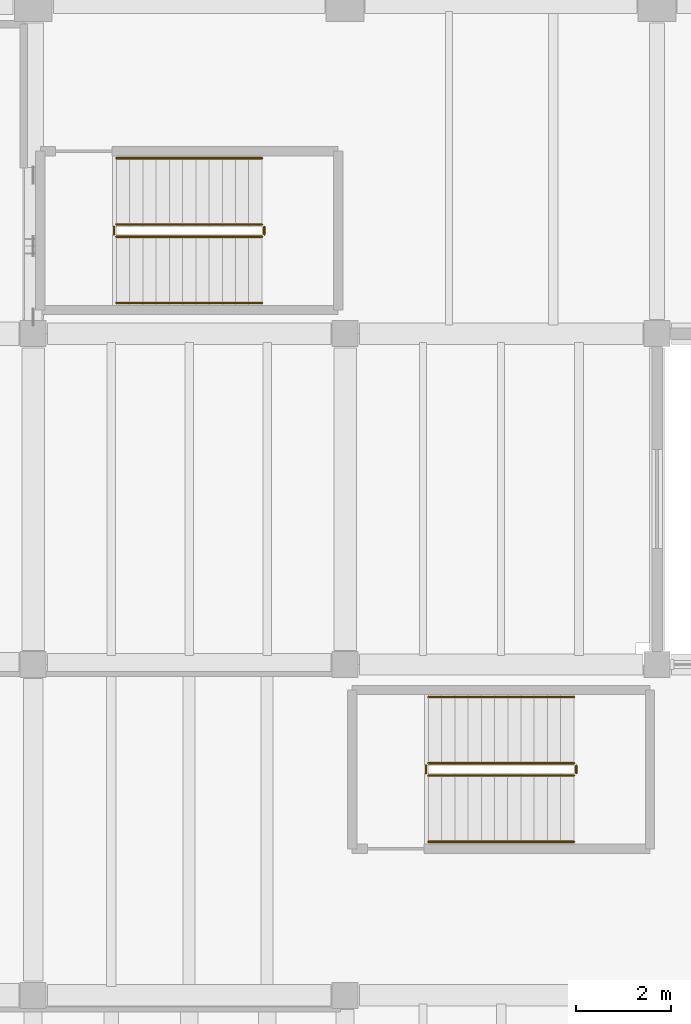
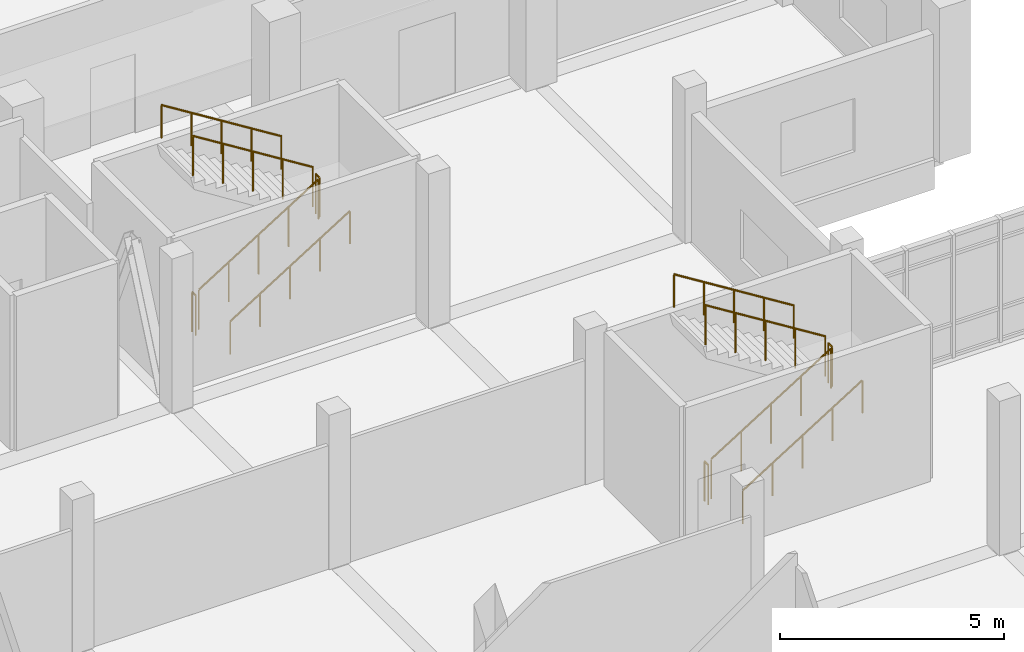
# One storey, part 66 of 67: 12 railings.
"""IFC4 building model written with IfcOpenShell, lengths in metres."""

from ifc_helpers import new_model, si_unit, direction, frame, origin, origin_2d, place, context, subcontext, project, spatial, circle, extrude, material, type_object, element, save


model = new_model("IFC4")

# Units and contexts
model_context = context("Model", 3, precision=1e-05, world=origin(), true_north=direction((0.0, 1.0)))
body_context = subcontext(model_context, "Body", "Model", "MODEL_VIEW")
ifc_project = project(units=[si_unit("LENGTHUNIT", "METRE"), si_unit("AREAUNIT", "SQUARE_METRE"), si_unit("VOLUMEUNIT", "CUBIC_METRE"), si_unit("PLANEANGLEUNIT", "RADIAN"), si_unit("MASSUNIT", "GRAM", prefix="KILO")], contexts=[model_context])

# Site, building, storey
site_placement = place(None, origin())
site = spatial("IfcSite", under=ifc_project, at=site_placement, CompositionType="ELEMENT")
building_placement = place(site_placement, origin())
building = spatial("IfcBuilding", under=site, at=building_placement, Name="Ciguamira Faculty of Natural Sciences", CompositionType="ELEMENT")
storey_placement = place(building_placement, frame((0.0, 0.0, 8.39990234375)))
storey = spatial("IfcBuildingStorey", under=building, at=storey_placement, Name="L02", CompositionType="ELEMENT", Elevation=8.39990234375)

# Railings
ifc_material_1 = material(Name="Stainless steel balustrade", Category="steel")
railing_type_1 = type_object("IfcRailingType", Name="Guardrail_GR01", PredefinedType="GUARDRAIL", material=ifc_material_1)
railing_1_placement = place(storey_placement, frame((98.659912109375, 96.050048828125, 0.175048828125)))
element("IfcRailing", 1, at=railing_1_placement, inside=storey, type_object=railing_type_1, Name="L02 ST-T2 stair guard 1", PredefinedType="GUARDRAIL", context=body_context, shape_type="SweptSolid", body=[
    extrude(circle(Radius=0.02392578125, at=origin_2d()), frame((0.0, 0.0, 1.076171875), z_axis=(0.847998304005, 0.0, 0.529998940003), x_axis=(0.0, 1.0, 0.0)), (0.0, 0.0, 1.0), 3.632080078125),
    extrude(circle(Radius=0.02099609375, at=origin_2d()), origin(), (0.0, 0.0, 1.0), 1.052001953125),
    extrude(circle(Radius=0.02099609375, at=origin_2d()), frame((0.77001953125, 0.0, 0.481201171875)), (0.0, 0.0, 1.0), 1.052001953125),
    extrude(circle(Radius=0.02099609375, at=origin_2d()), frame((1.5400390625, 0.0, 0.96240234375)), (0.0, 0.0, 1.0), 1.052001953125),
    extrude(circle(Radius=0.02099609375, at=origin_2d()), frame((2.31005859375, 0.0, 1.44384765625)), (0.0, 0.0, 1.0), 1.052001953125),
    extrude(circle(Radius=0.02099609375, at=origin_2d()), frame((3.080078125, 0.0, 1.925048828125)), (0.0, 0.0, 1.0), 1.052001953125),
])
railing_2_placement = place(storey_placement, frame((101.7900390625, 96.10009765625, 2.10009765625)))
element("IfcRailing", 2, at=railing_2_placement, inside=storey, type_object=railing_type_1, Name="L02 ST-T2 stair guard 2", PredefinedType="GUARDRAIL", context=body_context, shape_type="SweptSolid", body=[
    extrude(circle(Radius=0.02392578125, at=origin_2d()), frame((0.0, 0.0, 1.076171875), z_axis=(0.0, 1.0, 0.0), x_axis=(-1.0, 0.0, 0.0)), (0.0, 0.0, 1.0), 0.159912109375),
    extrude(circle(Radius=0.02099609375, at=origin_2d()), origin(), (0.0, 0.0, 1.0), 1.052001953125),
    extrude(circle(Radius=0.02099609375, at=origin_2d()), frame((0.0, 0.159912109375, 0.0)), (0.0, 0.0, 1.0), 1.052001953125),
])
railing_3_placement = place(storey_placement, frame((101.739990234375, 96.31005859375, 2.275146484375)))
element("IfcRailing", 3, at=railing_3_placement, inside=storey, type_object=railing_type_1, Name="L02 ST-T2 stair guard 3", PredefinedType="GUARDRAIL", context=body_context, shape_type="SweptSolid", body=[
    extrude(circle(Radius=0.02392578125, at=origin_2d()), frame((0.0, 0.0, 1.076171875), z_axis=(-0.847998304005, 0.0, 0.529998940003), x_axis=(0.0, -1.0, 0.0)), (0.0, 0.0, 1.0), 3.632080078125),
    extrude(circle(Radius=0.02099609375, at=origin_2d()), origin(), (0.0, 0.0, 1.0), 1.052001953125),
    extrude(circle(Radius=0.02099609375, at=origin_2d()), frame((-0.77001953125, 0.0, 0.481201171875)), (0.0, 0.0, 1.0), 1.052001953125),
    extrude(circle(Radius=0.02099609375, at=origin_2d()), frame((-1.5400390625, 0.0, 0.96240234375)), (0.0, 0.0, 1.0), 1.052001953125),
    extrude(circle(Radius=0.02099609375, at=origin_2d()), frame((-2.31005859375, 0.0, 1.44384765625)), (0.0, 0.0, 1.0), 1.052001953125),
    extrude(circle(Radius=0.02099609375, at=origin_2d()), frame((-3.080078125, 0.0, 1.925048828125)), (0.0, 0.0, 1.0), 1.052001953125),
])
railing_4_placement = place(storey_placement, frame((98.610107421875, 96.10009765625, 0.0)))
element("IfcRailing", 4, at=railing_4_placement, inside=storey, type_object=railing_type_1, Name="L02 ST-T2 stair guard 4", PredefinedType="GUARDRAIL", context=body_context, shape_type="SweptSolid", body=[
    extrude(circle(Radius=0.02392578125, at=origin_2d()), frame((0.0, 0.0, 1.076171875), z_axis=(0.0, 1.0, 0.0), x_axis=(-1.0, 0.0, 0.0)), (0.0, 0.0, 1.0), 0.159912109375),
    extrude(circle(Radius=0.02099609375, at=origin_2d()), origin(), (0.0, 0.0, 1.0), 1.052001953125),
    extrude(circle(Radius=0.02099609375, at=origin_2d()), frame((0.0, 0.159912109375, 0.0)), (0.0, 0.0, 1.0), 1.052001953125),
])
railing_5_placement = place(storey_placement, frame((105.260009765625, 84.64990234375, 0.175048828125)))
element("IfcRailing", 5, at=railing_5_placement, inside=storey, type_object=railing_type_1, Name="L02 ST-W2 stair guard 1", PredefinedType="GUARDRAIL", context=body_context, shape_type="SweptSolid", body=[
    extrude(circle(Radius=0.02392578125, at=origin_2d()), frame((0.0, 0.0, 1.076171875), z_axis=(0.847998304005, 0.0, 0.529998940003), x_axis=(0.0, 1.0, 0.0)), (0.0, 0.0, 1.0), 3.632080078125),
    extrude(circle(Radius=0.02099609375, at=origin_2d()), origin(), (0.0, 0.0, 1.0), 1.052001953125),
    extrude(circle(Radius=0.02099609375, at=origin_2d()), frame((0.77001953125, 0.0, 0.481201171875)), (0.0, 0.0, 1.0), 1.052001953125),
    extrude(circle(Radius=0.02099609375, at=origin_2d()), frame((1.5400390625, 0.0, 0.96240234375)), (0.0, 0.0, 1.0), 1.052001953125),
    extrude(circle(Radius=0.02099609375, at=origin_2d()), frame((2.31005859375, 0.0, 1.44384765625)), (0.0, 0.0, 1.0), 1.052001953125),
    extrude(circle(Radius=0.02099609375, at=origin_2d()), frame((3.080078125, 0.0, 1.925048828125)), (0.0, 0.0, 1.0), 1.052001953125),
])
railing_6_placement = place(storey_placement, frame((108.389892578125, 84.699951171875, 2.10009765625)))
element("IfcRailing", 6, at=railing_6_placement, inside=storey, type_object=railing_type_1, Name="L02 ST-W2 stair guard 2", PredefinedType="GUARDRAIL", context=body_context, shape_type="SweptSolid", body=[
    extrude(circle(Radius=0.02392578125, at=origin_2d()), frame((0.0, 0.0, 1.076171875), z_axis=(0.0, 1.0, 0.0), x_axis=(-1.0, 0.0, 0.0)), (0.0, 0.0, 1.0), 0.16015625),
    extrude(circle(Radius=0.02099609375, at=origin_2d()), origin(), (0.0, 0.0, 1.0), 1.052001953125),
    extrude(circle(Radius=0.02099609375, at=origin_2d()), frame((0.0, 0.16015625, 0.0)), (0.0, 0.0, 1.0), 1.052001953125),
])
railing_7_placement = place(storey_placement, frame((108.340087890625, 84.909912109375, 2.275146484375)))
element("IfcRailing", 7, at=railing_7_placement, inside=storey, type_object=railing_type_1, Name="L02 ST-W2 stair guard 3", PredefinedType="GUARDRAIL", context=body_context, shape_type="SweptSolid", body=[
    extrude(circle(Radius=0.02392578125, at=origin_2d()), frame((0.0, 0.0, 1.076171875), z_axis=(-0.847998304005, 0.0, 0.529998940003), x_axis=(0.0, -1.0, 0.0)), (0.0, 0.0, 1.0), 3.632080078125),
    extrude(circle(Radius=0.02099609375, at=origin_2d()), origin(), (0.0, 0.0, 1.0), 1.052001953125),
    extrude(circle(Radius=0.02099609375, at=origin_2d()), frame((-0.77001953125, 0.0, 0.481201171875)), (0.0, 0.0, 1.0), 1.052001953125),
    extrude(circle(Radius=0.02099609375, at=origin_2d()), frame((-1.5400390625, 0.0, 0.96240234375)), (0.0, 0.0, 1.0), 1.052001953125),
    extrude(circle(Radius=0.02099609375, at=origin_2d()), frame((-2.31005859375, 0.0, 1.44384765625)), (0.0, 0.0, 1.0), 1.052001953125),
    extrude(circle(Radius=0.02099609375, at=origin_2d()), frame((-3.080078125, 0.0, 1.925048828125)), (0.0, 0.0, 1.0), 1.052001953125),
])
railing_8_placement = place(storey_placement, frame((105.2099609375, 84.699951171875, 0.0)))
element("IfcRailing", 8, at=railing_8_placement, inside=storey, type_object=railing_type_1, Name="L02 ST-W2 stair guard 4", PredefinedType="GUARDRAIL", context=body_context, shape_type="SweptSolid", body=[
    extrude(circle(Radius=0.02392578125, at=origin_2d()), frame((0.0, 0.0, 1.076171875), z_axis=(0.0, 1.0, 0.0), x_axis=(-1.0, 0.0, 0.0)), (0.0, 0.0, 1.0), 0.16015625),
    extrude(circle(Radius=0.02099609375, at=origin_2d()), origin(), (0.0, 0.0, 1.0), 1.052001953125),
    extrude(circle(Radius=0.02099609375, at=origin_2d()), frame((0.0, 0.16015625, 0.0)), (0.0, 0.0, 1.0), 1.052001953125),
])
ifc_material_2 = material(Name="Stainless steel handrail", Category="steel")
railing_type_2 = type_object("IfcRailingType", Name="Handrail_HR01", PredefinedType="HANDRAIL", material=ifc_material_2)
railing_9_placement = place(storey_placement, frame((98.659912109375, 94.64990234375, 0.35009765625)))
element("IfcRailing", 9, at=railing_9_placement, inside=storey, type_object=railing_type_2, Name="L02 ST-T2 stair handrail 1", PredefinedType="HANDRAIL", context=body_context, shape_type="SweptSolid", body=[
    extrude(circle(Radius=0.02392578125, at=origin_2d()), frame((0.0, 0.0, 0.89111328125), z_axis=(0.847998304005, 0.0, 0.529998940003), x_axis=(0.0, 1.0, 0.0)), (0.0, 0.0, 1.0), 3.632080078125),
    extrude(circle(Radius=0.02099609375, at=origin_2d()), origin(), (0.0, 0.0, 1.0), 0.866943359375),
    extrude(circle(Radius=0.02099609375, at=origin_2d()), frame((0.77001953125, 0.0, 0.481201171875)), (0.0, 0.0, 1.0), 0.866943359375),
    extrude(circle(Radius=0.02099609375, at=origin_2d()), frame((1.5400390625, 0.0, 0.96240234375)), (0.0, 0.0, 1.0), 0.866943359375),
    extrude(circle(Radius=0.02099609375, at=origin_2d()), frame((2.31005859375, 0.0, 1.44384765625)), (0.0, 0.0, 1.0), 0.866943359375),
    extrude(circle(Radius=0.02099609375, at=origin_2d()), frame((3.080078125, 0.0, 1.925048828125)), (0.0, 0.0, 1.0), 0.866943359375),
])
railing_10_placement = place(storey_placement, frame((101.739990234375, 97.7099609375, 2.4501953125)))
element("IfcRailing", 10, at=railing_10_placement, inside=storey, type_object=railing_type_2, Name="L02 ST-T2 stair handrail 2", PredefinedType="HANDRAIL", context=body_context, shape_type="SweptSolid", body=[
    extrude(circle(Radius=0.02392578125, at=origin_2d()), frame((0.0, 0.0, 0.89111328125), z_axis=(-0.848028513186, 0.0, 0.529950602248), x_axis=(0.0, -1.0, 0.0)), (0.0, 0.0, 1.0), 3.632080078125),
    extrude(circle(Radius=0.02099609375, at=origin_2d()), origin(), (0.0, 0.0, 1.0), 0.866943359375),
    extrude(circle(Radius=0.02099609375, at=origin_2d()), frame((-0.77001953125, 0.0, 0.481201171875)), (0.0, 0.0, 1.0), 0.866943359375),
    extrude(circle(Radius=0.02099609375, at=origin_2d()), frame((-1.5400390625, 0.0, 0.96240234375)), (0.0, 0.0, 1.0), 0.866943359375),
    extrude(circle(Radius=0.02099609375, at=origin_2d()), frame((-2.31005859375, 0.0, 1.443603515625)), (0.0, 0.0, 1.0), 0.866943359375),
    extrude(circle(Radius=0.02099609375, at=origin_2d()), frame((-3.080078125, 0.0, 1.9248046875)), (0.0, 0.0, 1.0), 0.866943359375),
])
railing_11_placement = place(storey_placement, frame((105.260009765625, 83.25, 0.35009765625)))
element("IfcRailing", 11, at=railing_11_placement, inside=storey, type_object=railing_type_2, Name="L02 ST-W2 stair handrail 1", PredefinedType="HANDRAIL", context=body_context, shape_type="SweptSolid", body=[
    extrude(circle(Radius=0.02392578125, at=origin_2d()), frame((0.0, 0.0, 0.89111328125), z_axis=(0.847998304005, 0.0, 0.529998940003), x_axis=(0.0, 1.0, 0.0)), (0.0, 0.0, 1.0), 3.632080078125),
    extrude(circle(Radius=0.02099609375, at=origin_2d()), origin(), (0.0, 0.0, 1.0), 0.866943359375),
    extrude(circle(Radius=0.02099609375, at=origin_2d()), frame((0.77001953125, 0.0, 0.481201171875)), (0.0, 0.0, 1.0), 0.866943359375),
    extrude(circle(Radius=0.02099609375, at=origin_2d()), frame((1.5400390625, 0.0, 0.96240234375)), (0.0, 0.0, 1.0), 0.866943359375),
    extrude(circle(Radius=0.02099609375, at=origin_2d()), frame((2.31005859375, 0.0, 1.44384765625)), (0.0, 0.0, 1.0), 0.866943359375),
    extrude(circle(Radius=0.02099609375, at=origin_2d()), frame((3.080078125, 0.0, 1.925048828125)), (0.0, 0.0, 1.0), 0.866943359375),
])
railing_12_placement = place(storey_placement, frame((108.340087890625, 86.31005859375, 2.4501953125)))
element("IfcRailing", 12, at=railing_12_placement, inside=storey, type_object=railing_type_2, Name="L02 ST-W2 stair handrail 2", PredefinedType="HANDRAIL", context=body_context, shape_type="SweptSolid", body=[
    extrude(circle(Radius=0.02392578125, at=origin_2d()), frame((0.0, 0.0, 0.89111328125), z_axis=(-0.848028513186, 0.0, 0.529950602248), x_axis=(0.0, -1.0, 0.0)), (0.0, 0.0, 1.0), 3.632080078125),
    extrude(circle(Radius=0.02099609375, at=origin_2d()), origin(), (0.0, 0.0, 1.0), 0.866943359375),
    extrude(circle(Radius=0.02099609375, at=origin_2d()), frame((-0.77001953125, 0.0, 0.481201171875)), (0.0, 0.0, 1.0), 0.866943359375),
    extrude(circle(Radius=0.02099609375, at=origin_2d()), frame((-1.5400390625, 0.0, 0.96240234375)), (0.0, 0.0, 1.0), 0.866943359375),
    extrude(circle(Radius=0.02099609375, at=origin_2d()), frame((-2.31005859375, 0.0, 1.443603515625)), (0.0, 0.0, 1.0), 0.866943359375),
    extrude(circle(Radius=0.02099609375, at=origin_2d()), frame((-3.080078125, 0.0, 1.9248046875)), (0.0, 0.0, 1.0), 0.866943359375),
])

save(model, "model.ifc")
